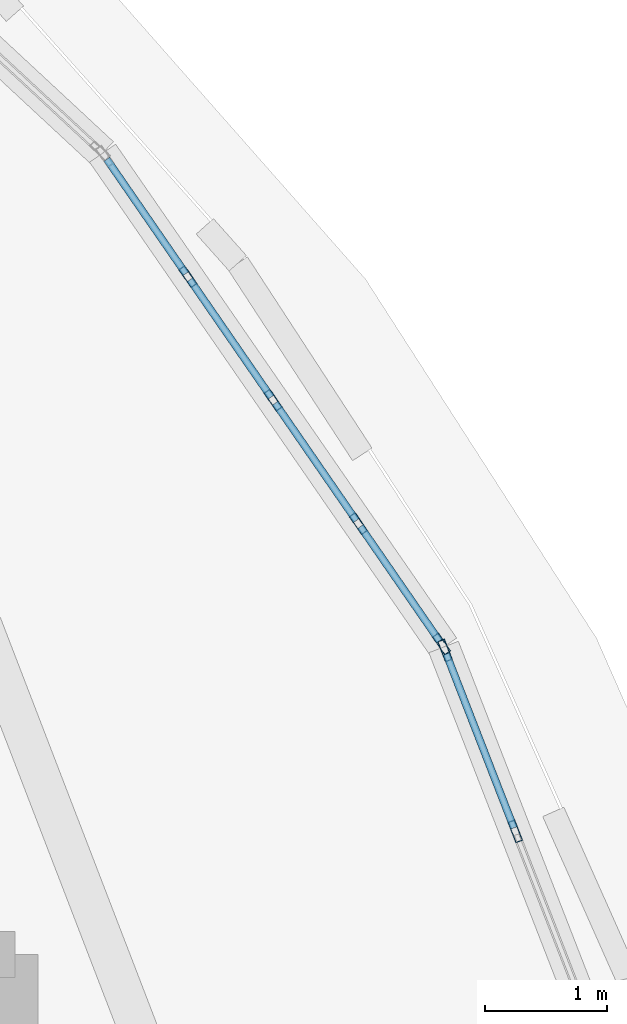
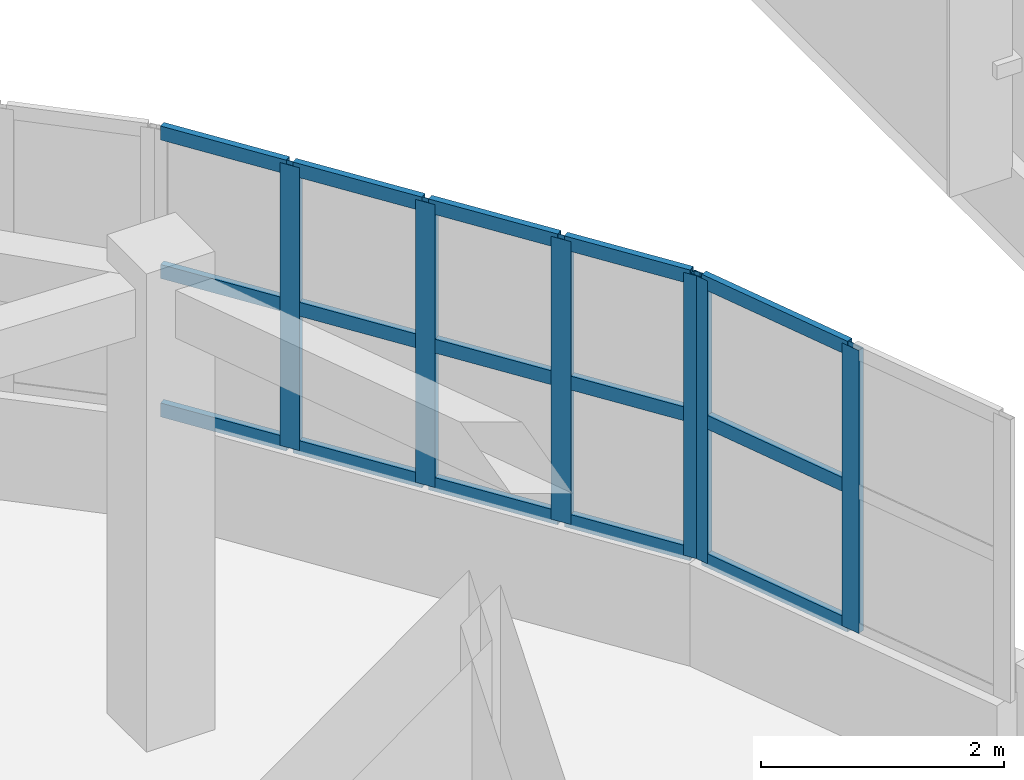
# One storey, part 56 of 105: 21 members, 2 elements without a shape of their own.
"""IFC4 building model written with IfcOpenShell, lengths in metres."""

import ifcopenshell
import ifcopenshell.guid

model = None  # the IFC model being written
_history = None  # IfcOwnerHistory: only IFC2X3 demands one
_inside = {}  # id of a spatial element -> (the spatial element, [elements in it])
_under = {}  # id of a project, library or spatial element -> (it, [spatial elements below it])
_declared = {}  # id of a project -> (the project, [libraries it declares])
_typed = {}  # id of a type object -> (the type object, [elements of that type])
_made_of = {}  # id of a material, layer set ... -> (it, [elements and type objects made of it])


def new_model(schema):
    """Start an empty IFC model of exactly this schema.

    Asked for "IFC4X3", IfcOpenShell would pick the latest addendum, in which some entities
    have other attributes; the version numbers below select the first issue.
    IFC2X3 requires an IfcOwnerHistory on every rooted entity: one is made here for all.
    """
    global model, _history
    if schema == "IFC4X3":
        model = ifcopenshell.file(schema_version=(4, 3, 0, 0))
    else:
        model = ifcopenshell.file(schema=schema)
    _inside.clear()
    _under.clear()
    _declared.clear()
    _typed.clear()
    _made_of.clear()
    _history = None
    if model.schema == "IFC2X3":
        org = make("IfcOrganization", Name="unknown")
        user = make(
            "IfcPersonAndOrganization",
            ThePerson=make("IfcPerson", FamilyName="unknown"),
            TheOrganization=org,
        )
        app = make(
            "IfcApplication",
            ApplicationDeveloper=org,
            Version="unknown",
            ApplicationFullName="unknown",
            ApplicationIdentifier="unknown",
        )
        _history = make(
            "IfcOwnerHistory",
            OwningUser=user,
            OwningApplication=app,
            ChangeAction="ADDED",
            CreationDate=0,
        )
    return model


def make(cls, **values):
    """One entity of the class cls with the attributes given. An attribute that is None is left unset."""
    return model.create_entity(
        cls, **{name: value for name, value in values.items() if value is not None}
    )


def rooted(cls, **values):
    """An entity with a GlobalId (a new one), such as an element, a storey or a relation."""
    return make(cls, GlobalId=ifcopenshell.guid.new(), OwnerHistory=_history, **values)


def si_unit(unit_type, name, prefix=None):
    """IfcSIUnit, for example si_unit("LENGTHUNIT", "METRE", prefix="MILLI")."""
    return make("IfcSIUnit", UnitType=unit_type, Prefix=prefix, Name=name)


def assignment(units):
    """IfcUnitAssignment: the units of a project."""
    return None if units is None else make("IfcUnitAssignment", Units=units)


def point(xyz):
    """IfcCartesianPoint."""
    return None if xyz is None else make("IfcCartesianPoint", Coordinates=xyz)


def direction(xyz):
    """IfcDirection."""
    return None if xyz is None else make("IfcDirection", DirectionRatios=xyz)


def frame(location, z_axis=None, x_axis=None):
    """IfcAxis2Placement3D, a coordinate frame: its origin and axes. An axis left out is left unset."""
    return make(
        "IfcAxis2Placement3D",
        Location=point(location),
        Axis=direction(z_axis),
        RefDirection=direction(x_axis),
    )


def frame_2d(location, x_axis=None):
    """IfcAxis2Placement2D, a coordinate frame in the plane: its origin and x axis."""
    return make(
        "IfcAxis2Placement2D", Location=point(location), RefDirection=direction(x_axis)
    )


def origin():
    """The frame at (0, 0, 0) with its axes left unset."""
    return frame((0.0, 0.0, 0.0))


def origin_2d():
    """The frame at (0, 0) in the plane with its x axis left unset."""
    return frame_2d((0.0, 0.0))


def place(relative_to, where):
    """IfcLocalPlacement: puts the frame where relative to a parent placement (None: the world)."""
    return make(
        "IfcLocalPlacement", PlacementRelTo=relative_to, RelativePlacement=where
    )


def context(
    kind, dimensions, precision=None, world=None, true_north=None, identifier=None
):
    """IfcGeometricRepresentationContext, for example the 3D "Model" context."""
    return make(
        "IfcGeometricRepresentationContext",
        ContextIdentifier=identifier,
        ContextType=kind,
        CoordinateSpaceDimension=dimensions,
        Precision=precision,
        WorldCoordinateSystem=world,
        TrueNorth=true_north,
    )


def subcontext(parent, identifier, kind, view, scale=None):
    """IfcGeometricRepresentationSubContext, for example "Body" below "Model"."""
    return make(
        "IfcGeometricRepresentationSubContext",
        ContextIdentifier=identifier,
        ContextType=kind,
        ParentContext=parent,
        TargetScale=scale,
        TargetView=view,
    )


def project(units=None, contexts=None):
    """IfcProject with its units and contexts."""
    return rooted(
        "IfcProject",
        Name="project",
        RepresentationContexts=contexts,
        UnitsInContext=assignment(units),
    )


def spatial(cls, under=None, at=None, **own):
    """A site, building, storey or space (cls), placed at a placement, below another one or the project."""
    s = rooted(cls, ObjectPlacement=at, **own)
    if under is not None:
        _under.setdefault(under.id(), (under, []))[1].append(s)
    return s


def profile(cls, at=None, kind="AREA", **sizes):
    """A parametric profile (cls). Its sizes go by their IFC names, for example OverallWidth=200.0."""
    return make(cls, ProfileType=kind, Position=at, **sizes)


def hollow_rectangle(**sizes):
    """IfcRectangleHollowProfileDef."""
    return profile("IfcRectangleHollowProfileDef", **sizes)


def extrude(swept, where, along, depth):
    """IfcExtrudedAreaSolid: the profile swept, set in the frame where, extruded along a direction by depth."""
    return make(
        "IfcExtrudedAreaSolid",
        SweptArea=swept,
        Position=where,
        ExtrudedDirection=direction(along),
        Depth=depth,
    )


def shape(context_of_items, identifier, shape_type, items):
    """IfcShapeRepresentation: the items that make up one representation, for example the "Body"."""
    return make(
        "IfcShapeRepresentation",
        ContextOfItems=context_of_items,
        RepresentationIdentifier=identifier,
        RepresentationType=shape_type,
        Items=items,
    )


def material(Name=None, Category=None):
    """IfcMaterial."""
    return make("IfcMaterial", Name=Name, Category=Category)


def layer(
    of_material, thickness, ventilated=None, Name=None, Category=None, Priority=None
):
    """IfcMaterialLayer: one layer of a wall or slab, of a material (None: an air gap)."""
    return make(
        "IfcMaterialLayer",
        Material=of_material,
        LayerThickness=thickness,
        IsVentilated=ventilated,
        Name=Name,
        Category=Category,
        Priority=Priority,
    )


def layer_set(layers, Name=None):
    """IfcMaterialLayerSet."""
    return make("IfcMaterialLayerSet", MaterialLayers=layers, LayerSetName=Name)


def material_profile(
    of_material, cross_section, Name=None, Category=None, Priority=None
):
    """IfcMaterialProfile: a cross section and its material."""
    return make(
        "IfcMaterialProfile",
        Name=Name,
        Material=of_material,
        Profile=cross_section,
        Priority=Priority,
        Category=Category,
    )


def profile_set(profiles, Name=None, composite=None):
    """IfcMaterialProfileSet."""
    return make(
        "IfcMaterialProfileSet",
        Name=Name,
        MaterialProfiles=profiles,
        CompositeProfile=composite,
    )


def made_of(thing, what):
    """Note that an element or type object is made of a material, layer set ...; save() writes the relation."""
    if what is not None:
        _made_of.setdefault(what.id(), (what, []))[1].append(thing)
    return thing


def type_object(cls, material=None, **own):
    """A type object (cls), such as IfcWallType, which elements share."""
    return made_of(rooted(cls, **own), material)


def element(
    cls,
    number,
    at=None,
    inside=None,
    cuts=None,
    type_object=None,
    material=None,
    context=None,
    identifier="Body",
    shape_type=None,
    held_by="IfcProductDefinitionShape",
    body=None,
    shapes=None,
    **own,
):
    """One element of the class cls, such as IfcWall. Its Tag is "e" and its number.

    at: its placement. inside: the storey or other place that contains it. cuts: it is an
    opening in that element (IfcRelVoidsElement). A single representation is given by context,
    identifier, shape_type and body (its items); several are given by shapes. held_by: the class
    of the entity that holds the representations. save() writes the other relations.
    """
    e = rooted(cls, Tag="e%d" % number, ObjectPlacement=at, **own)
    if body is not None:
        shapes = [shape(context, identifier, shape_type, body)]
    if shapes is not None:
        e.Representation = make(held_by, Representations=shapes)
    if inside is not None:
        _inside.setdefault(inside.id(), (inside, []))[1].append(e)
    if cuts is not None:
        rooted(
            "IfcRelVoidsElement", RelatingBuildingElement=cuts, RelatedOpeningElement=e
        )
    if type_object is not None:
        _typed.setdefault(type_object.id(), (type_object, []))[1].append(e)
    return made_of(e, material)


def aggregate(whole, parts):
    """IfcRelAggregates: a whole, such as a stair, and the parts it consists of."""
    return rooted("IfcRelAggregates", RelatingObject=whole, RelatedObjects=parts)


def save(model, path):
    """Write the relations noted so far, then the file.

    IfcRelAggregates (storeys below a building ...), IfcRelContainedInSpatialStructure (elements
    in a storey), IfcRelDefinesByType, IfcRelAssociatesMaterial and IfcRelDeclares: one each for
    every whole, place, type object, material and project.
    """
    for whole, parts in _under.values():
        aggregate(whole, parts)
    for where, things in _inside.values():
        rooted(
            "IfcRelContainedInSpatialStructure",
            RelatedElements=things,
            RelatingStructure=where,
        )
    for kind, things in _typed.values():
        rooted("IfcRelDefinesByType", RelatedObjects=things, RelatingType=kind)
    for what, things in _made_of.values():
        rooted("IfcRelAssociatesMaterial", RelatedObjects=things, RelatingMaterial=what)
    for by, libraries in _declared.values():
        rooted("IfcRelDeclares", RelatingContext=by, RelatedDefinitions=libraries)
    model.write(path)


model = new_model("IFC4")

# Units and contexts
model_context = context("Model", 3, precision=1e-05, world=origin(), true_north=direction((0.0, 1.0)))
body_context = subcontext(model_context, "Body", "Model", "MODEL_VIEW")
ifc_project = project(units=[si_unit("LENGTHUNIT", "METRE"), si_unit("AREAUNIT", "SQUARE_METRE"), si_unit("VOLUMEUNIT", "CUBIC_METRE"), si_unit("PLANEANGLEUNIT", "RADIAN"), si_unit("MASSUNIT", "GRAM", prefix="KILO")], contexts=[model_context])

# Site, building, storey
site_placement = place(None, origin())
site = spatial("IfcSite", under=ifc_project, at=site_placement, CompositionType="ELEMENT")
building_placement = place(site_placement, origin())
building = spatial("IfcBuilding", under=site, at=building_placement, Name="Pelvatis Terrace Science Centre", CompositionType="ELEMENT")
storey_placement = place(building_placement, frame((0.0, 0.0, 10.199951171875)))
storey = spatial("IfcBuildingStorey", under=building, at=storey_placement, Name="L02", CompositionType="ELEMENT", Elevation=10.199951171875)

# Curtain wall, members
ifc_material_1 = material(Name="Bronze-anodised aluminium and laminated glass", Category="aluminium")
ifc_layer = layer(ifc_material_1, 0.179931640625)
ifc_layer_set = layer_set([ifc_layer], Name="Bronze-anodised aluminium and laminated glass")
curtain_wall_type = type_object("IfcCurtainWallType", Name="CW-RIBBON-A", PredefinedType="NOTDEFINED", material=ifc_layer_set)
curtain_wall_1_placement = place(storey_placement, origin())
curtain_wall_1 = element("IfcCurtainWall", 1, at=curtain_wall_1_placement, inside=storey, type_object=curtain_wall_type, Name="Ribbon curtain wall CW-155 (L02)", PredefinedType="NOTDEFINED")
ifc_material_2 = material(Name="Bronze-anodised aluminium 6063-T6", Category="aluminium")
ifc_material_profile_1 = material_profile(ifc_material_2, hollow_rectangle(XDim=0.06005859375, YDim=0.179931640625, WallThickness=0.00390625, at=origin_2d()), Name="ALU-MUL 60x180")
ifc_profile_set_1 = profile_set([ifc_material_profile_1], Name="Bronze-anodised aluminium 6063-T6")
member_type_1 = type_object("IfcMemberType", Name="CWM-60x180", PredefinedType="MULLION", material=ifc_profile_set_1)
member_1_placement = place(storey_placement, frame((135.71826171875, 91.014404296875, 1.02001953125), z_axis=(0.0, 0.0, 1.0), x_axis=(-0.932095169131, -0.36221346701, 0.0)))
member_1 = element("IfcMember", 2, at=member_1_placement, type_object=member_type_1, Name="CW-155 mullion 2", PredefinedType="MULLION", context=body_context, shape_type="SweptSolid", body=[
    extrude(hollow_rectangle(XDim=0.06005859375, YDim=0.179931640625, WallThickness=0.00390625, at=origin_2d()), origin(), (0.0, 0.0, 1.0), 2.840087890625),
])
member_2_placement = place(storey_placement, frame((135.1396484375, 92.503173828125, 1.02001953125), z_axis=(0.0, 0.0, 1.0), x_axis=(-0.932095169131, -0.36221346701, 0.0)))
member_2 = element("IfcMember", 3, at=member_2_placement, type_object=member_type_1, Name="CW-155 mullion 3", PredefinedType="MULLION", context=body_context, shape_type="SweptSolid", body=[
    extrude(hollow_rectangle(XDim=0.06005859375, YDim=0.179931640625, WallThickness=0.00390625, at=origin_2d()), origin(), (0.0, 0.0, 1.0), 2.840087890625),
])

curtain_wall_2_placement = place(storey_placement, origin())
curtain_wall_2 = element("IfcCurtainWall", 4, at=curtain_wall_2_placement, inside=storey, type_object=curtain_wall_type, Name="Ribbon curtain wall CW-156 (L02)", PredefinedType="NOTDEFINED")
member_3_placement = place(storey_placement, frame((135.111572265625, 92.555908203125, 1.02001953125), z_axis=(0.0, 0.0, 1.0), x_axis=(-0.822888336113, -0.568203120626, 0.0)))
member_3 = element("IfcMember", 5, at=member_3_placement, type_object=member_type_1, Name="CW-156 mullion 1", PredefinedType="MULLION", context=body_context, shape_type="SweptSolid", body=[
    extrude(hollow_rectangle(XDim=0.06005859375, YDim=0.179931640625, WallThickness=0.00390625, at=origin_2d()), origin(), (0.0, 0.0, 1.0), 2.840087890625),
])
member_4_placement = place(storey_placement, frame((134.427001953125, 93.54736328125, 1.02001953125), z_axis=(0.0, 0.0, 1.0), x_axis=(-0.822888336113, -0.568203120626, 0.0)))
member_4 = element("IfcMember", 6, at=member_4_placement, type_object=member_type_1, Name="CW-156 mullion 2", PredefinedType="MULLION", context=body_context, shape_type="SweptSolid", body=[
    extrude(hollow_rectangle(XDim=0.06005859375, YDim=0.179931640625, WallThickness=0.00390625, at=origin_2d()), origin(), (0.0, 0.0, 1.0), 2.840087890625),
])
member_5_placement = place(storey_placement, frame((133.725341796875, 94.5634765625, 1.02001953125), z_axis=(0.0, 0.0, 1.0), x_axis=(-0.822888336113, -0.568203120626, 0.0)))
member_5 = element("IfcMember", 7, at=member_5_placement, type_object=member_type_1, Name="CW-156 mullion 3", PredefinedType="MULLION", context=body_context, shape_type="SweptSolid", body=[
    extrude(hollow_rectangle(XDim=0.06005859375, YDim=0.179931640625, WallThickness=0.00390625, at=origin_2d()), origin(), (0.0, 0.0, 1.0), 2.840087890625),
])
member_6_placement = place(storey_placement, frame((133.023681640625, 95.57958984375, 1.02001953125), z_axis=(0.0, 0.0, 1.0), x_axis=(-0.822888336113, -0.568203120626, 0.0)))
member_6 = element("IfcMember", 8, at=member_6_placement, type_object=member_type_1, Name="CW-156 mullion 4", PredefinedType="MULLION", context=body_context, shape_type="SweptSolid", body=[
    extrude(hollow_rectangle(XDim=0.06005859375, YDim=0.179931640625, WallThickness=0.00390625, at=origin_2d()), origin(), (0.0, 0.0, 1.0), 2.840087890625),
])

# Member
ifc_material_3 = material(Name="Bronze-anodised aluminium 6063-T6", Category="aluminium")
ifc_material_profile_2 = material_profile(ifc_material_3, hollow_rectangle(XDim=0.06005859375, YDim=0.139892578125, WallThickness=0.00390625, at=origin_2d()), Name="ALU-TRN 60x140")
ifc_profile_set_2 = profile_set([ifc_material_profile_2], Name="Bronze-anodised aluminium 6063-T6")
member_type_2 = type_object("IfcMemberType", Name="CWT-60x140", PredefinedType="USERDEFINED", material=ifc_profile_set_2)
member_7_placement = place(storey_placement, frame((135.707275390625, 91.042236328125, 1.050048828125), z_axis=(-0.362201038678, 0.932099998702, 0.0), x_axis=(-0.932099998702, -0.362201038678, 0.0)))
member_7 = element("IfcMember", 9, at=member_7_placement, type_object=member_type_2, Name="CW-155 transom 2.1", ObjectType="TRANSOM", PredefinedType="USERDEFINED", context=body_context, shape_type="SweptSolid", body=[
    extrude(hollow_rectangle(XDim=0.06005859375, YDim=0.139892578125, WallThickness=0.00390625, at=origin_2d()), origin(), (0.0, 0.0, 1.0), 1.53759765625),
])

member_8_placement = place(storey_placement, frame((135.707275390625, 91.042236328125, 2.43994140625), z_axis=(-0.362201038678, 0.932099998702, 0.0), x_axis=(-0.932099998702, -0.362201038678, 0.0)))
member_8 = element("IfcMember", 10, at=member_8_placement, type_object=member_type_2, Name="CW-155 transom 2.2", ObjectType="TRANSOM", PredefinedType="USERDEFINED", context=body_context, shape_type="SweptSolid", body=[
    extrude(hollow_rectangle(XDim=0.06005859375, YDim=0.139892578125, WallThickness=0.00390625, at=origin_2d()), origin(), (0.0, 0.0, 1.0), 1.53759765625),
])

member_9_placement = place(storey_placement, frame((135.707275390625, 91.042236328125, 3.830078125), z_axis=(-0.362201038678, 0.932099998702, 0.0), x_axis=(-0.932099998702, -0.362201038678, 0.0)))
member_9 = element("IfcMember", 11, at=member_9_placement, type_object=member_type_2, Name="CW-155 transom 2.3", ObjectType="TRANSOM", PredefinedType="USERDEFINED", context=body_context, shape_type="SweptSolid", body=[
    extrude(hollow_rectangle(XDim=0.06005859375, YDim=0.139892578125, WallThickness=0.00390625, at=origin_2d()), origin(), (0.0, 0.0, 1.0), 1.53759765625),
])

aggregate(curtain_wall_1, [member_1, member_2, member_7, member_8, member_9])

member_10_placement = place(storey_placement, frame((135.0947265625, 92.58056640625, 1.050048828125), z_axis=(-0.568256034666, 0.822851796538, 0.0), x_axis=(-0.822851796538, -0.568256034666, 0.0)))
member_10 = element("IfcMember", 12, at=member_10_placement, type_object=member_type_2, Name="CW-156 transom 1.1", ObjectType="TRANSOM", PredefinedType="USERDEFINED", context=body_context, shape_type="SweptSolid", body=[
    extrude(hollow_rectangle(XDim=0.06005859375, YDim=0.139892578125, WallThickness=0.00390625, at=origin_2d()), origin(), (0.0, 0.0, 1.0), 1.14501953125),
])

member_11_placement = place(storey_placement, frame((135.0947265625, 92.58056640625, 2.43994140625), z_axis=(-0.568256034666, 0.822851796538, 0.0), x_axis=(-0.822851796538, -0.568256034666, 0.0)))
member_11 = element("IfcMember", 13, at=member_11_placement, type_object=member_type_2, Name="CW-156 transom 1.2", ObjectType="TRANSOM", PredefinedType="USERDEFINED", context=body_context, shape_type="SweptSolid", body=[
    extrude(hollow_rectangle(XDim=0.06005859375, YDim=0.139892578125, WallThickness=0.00390625, at=origin_2d()), origin(), (0.0, 0.0, 1.0), 1.14501953125),
])

member_12_placement = place(storey_placement, frame((135.0947265625, 92.58056640625, 3.830078125), z_axis=(-0.568256034666, 0.822851796538, 0.0), x_axis=(-0.822851796538, -0.568256034666, 0.0)))
member_12 = element("IfcMember", 14, at=member_12_placement, type_object=member_type_2, Name="CW-156 transom 1.3", ObjectType="TRANSOM", PredefinedType="USERDEFINED", context=body_context, shape_type="SweptSolid", body=[
    extrude(hollow_rectangle(XDim=0.06005859375, YDim=0.139892578125, WallThickness=0.00390625, at=origin_2d()), origin(), (0.0, 0.0, 1.0), 1.14501953125),
])

member_13_placement = place(storey_placement, frame((134.409912109375, 93.572021484375, 1.050048828125), z_axis=(-0.568150510698, 0.822924660703, 0.0), x_axis=(-0.822924660703, -0.568150510698, 0.0)))
member_13 = element("IfcMember", 15, at=member_13_placement, type_object=member_type_2, Name="CW-156 transom 2.1", ObjectType="TRANSOM", PredefinedType="USERDEFINED", context=body_context, shape_type="SweptSolid", body=[
    extrude(hollow_rectangle(XDim=0.06005859375, YDim=0.139892578125, WallThickness=0.00390625, at=origin_2d()), origin(), (0.0, 0.0, 1.0), 1.1748046875),
])

member_14_placement = place(storey_placement, frame((134.409912109375, 93.572021484375, 2.43994140625), z_axis=(-0.568150510698, 0.822924660703, 0.0), x_axis=(-0.822924660703, -0.568150510698, 0.0)))
member_14 = element("IfcMember", 16, at=member_14_placement, type_object=member_type_2, Name="CW-156 transom 2.2", ObjectType="TRANSOM", PredefinedType="USERDEFINED", context=body_context, shape_type="SweptSolid", body=[
    extrude(hollow_rectangle(XDim=0.06005859375, YDim=0.139892578125, WallThickness=0.00390625, at=origin_2d()), origin(), (0.0, 0.0, 1.0), 1.1748046875),
])

member_15_placement = place(storey_placement, frame((134.409912109375, 93.572021484375, 3.830078125), z_axis=(-0.568150510698, 0.822924660703, 0.0), x_axis=(-0.822924660703, -0.568150510698, 0.0)))
member_15 = element("IfcMember", 17, at=member_15_placement, type_object=member_type_2, Name="CW-156 transom 2.3", ObjectType="TRANSOM", PredefinedType="USERDEFINED", context=body_context, shape_type="SweptSolid", body=[
    extrude(hollow_rectangle(XDim=0.06005859375, YDim=0.139892578125, WallThickness=0.00390625, at=origin_2d()), origin(), (0.0, 0.0, 1.0), 1.1748046875),
])

member_16_placement = place(storey_placement, frame((133.708251953125, 94.588134765625, 1.050048828125), z_axis=(-0.568150510698, 0.822924660703, 0.0), x_axis=(-0.822924660703, -0.568150510698, 0.0)))
member_16 = element("IfcMember", 18, at=member_16_placement, type_object=member_type_2, Name="CW-156 transom 3.1", ObjectType="TRANSOM", PredefinedType="USERDEFINED", context=body_context, shape_type="SweptSolid", body=[
    extrude(hollow_rectangle(XDim=0.06005859375, YDim=0.139892578125, WallThickness=0.00390625, at=origin_2d()), origin(), (0.0, 0.0, 1.0), 1.1748046875),
])

member_17_placement = place(storey_placement, frame((133.708251953125, 94.588134765625, 2.43994140625), z_axis=(-0.568150510698, 0.822924660703, 0.0), x_axis=(-0.822924660703, -0.568150510698, 0.0)))
member_17 = element("IfcMember", 19, at=member_17_placement, type_object=member_type_2, Name="CW-156 transom 3.2", ObjectType="TRANSOM", PredefinedType="USERDEFINED", context=body_context, shape_type="SweptSolid", body=[
    extrude(hollow_rectangle(XDim=0.06005859375, YDim=0.139892578125, WallThickness=0.00390625, at=origin_2d()), origin(), (0.0, 0.0, 1.0), 1.1748046875),
])

member_18_placement = place(storey_placement, frame((133.708251953125, 94.588134765625, 3.830078125), z_axis=(-0.568150510698, 0.822924660703, 0.0), x_axis=(-0.822924660703, -0.568150510698, 0.0)))
member_18 = element("IfcMember", 20, at=member_18_placement, type_object=member_type_2, Name="CW-156 transom 3.3", ObjectType="TRANSOM", PredefinedType="USERDEFINED", context=body_context, shape_type="SweptSolid", body=[
    extrude(hollow_rectangle(XDim=0.06005859375, YDim=0.139892578125, WallThickness=0.00390625, at=origin_2d()), origin(), (0.0, 0.0, 1.0), 1.1748046875),
])

member_19_placement = place(storey_placement, frame((133.006591796875, 95.604248046875, 1.050048828125), z_axis=(-0.568111634058, 0.822951499936, 0.0), x_axis=(-0.822951499936, -0.568111634058, 0.0)))
member_19 = element("IfcMember", 21, at=member_19_placement, type_object=member_type_2, Name="CW-156 transom 4.1", ObjectType="TRANSOM", PredefinedType="USERDEFINED", context=body_context, shape_type="SweptSolid", body=[
    extrude(hollow_rectangle(XDim=0.06005859375, YDim=0.139892578125, WallThickness=0.00390625, at=origin_2d()), origin(), (0.0, 0.0, 1.0), 1.144775390625),
])

member_20_placement = place(storey_placement, frame((133.006591796875, 95.604248046875, 2.43994140625), z_axis=(-0.568111634058, 0.822951499936, 0.0), x_axis=(-0.822951499936, -0.568111634058, 0.0)))
member_20 = element("IfcMember", 22, at=member_20_placement, type_object=member_type_2, Name="CW-156 transom 4.2", ObjectType="TRANSOM", PredefinedType="USERDEFINED", context=body_context, shape_type="SweptSolid", body=[
    extrude(hollow_rectangle(XDim=0.06005859375, YDim=0.139892578125, WallThickness=0.00390625, at=origin_2d()), origin(), (0.0, 0.0, 1.0), 1.144775390625),
])

member_21_placement = place(storey_placement, frame((133.006591796875, 95.604248046875, 3.830078125), z_axis=(-0.568111634058, 0.822951499936, 0.0), x_axis=(-0.822951499936, -0.568111634058, 0.0)))
member_21 = element("IfcMember", 23, at=member_21_placement, type_object=member_type_2, Name="CW-156 transom 4.3", ObjectType="TRANSOM", PredefinedType="USERDEFINED", context=body_context, shape_type="SweptSolid", body=[
    extrude(hollow_rectangle(XDim=0.06005859375, YDim=0.139892578125, WallThickness=0.00390625, at=origin_2d()), origin(), (0.0, 0.0, 1.0), 1.144775390625),
])

aggregate(curtain_wall_2, [member_3, member_4, member_5, member_6, member_10, member_11, member_12, member_13, member_14, member_15, member_16, member_17, member_18, member_19, member_20, member_21])

save(model, "model.ifc")
